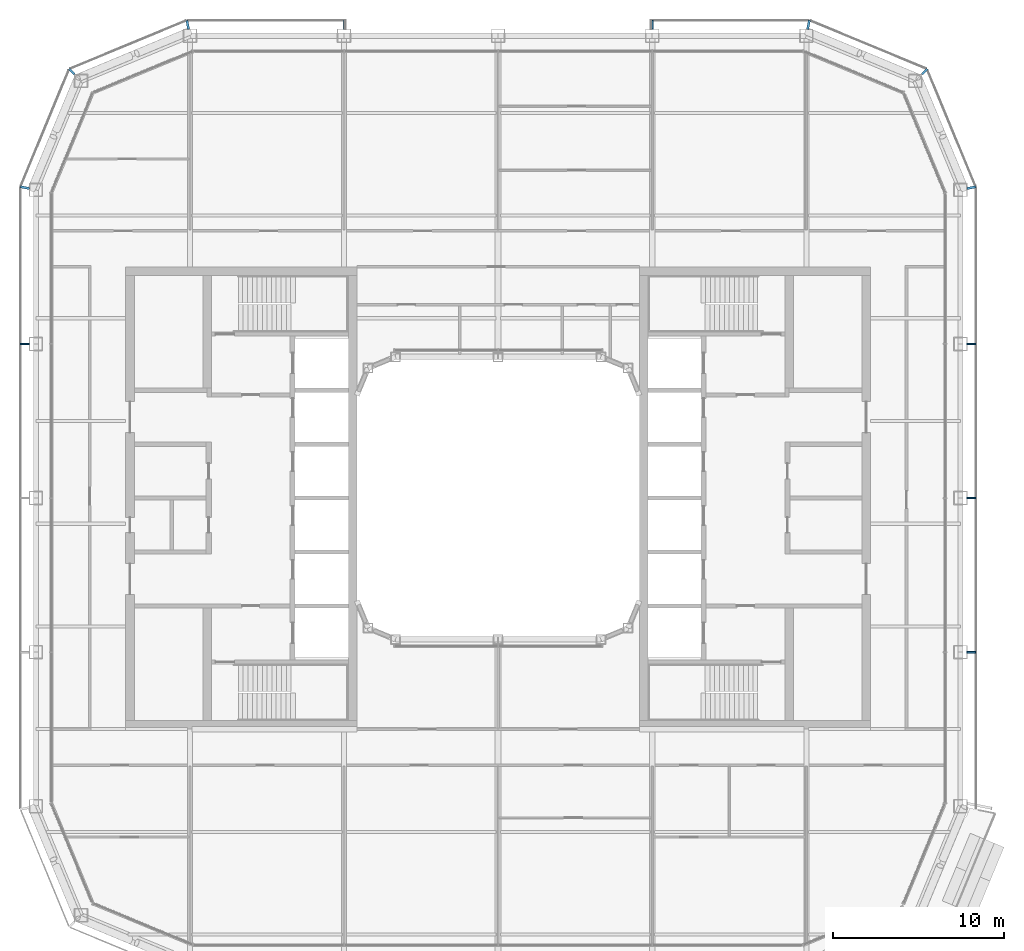
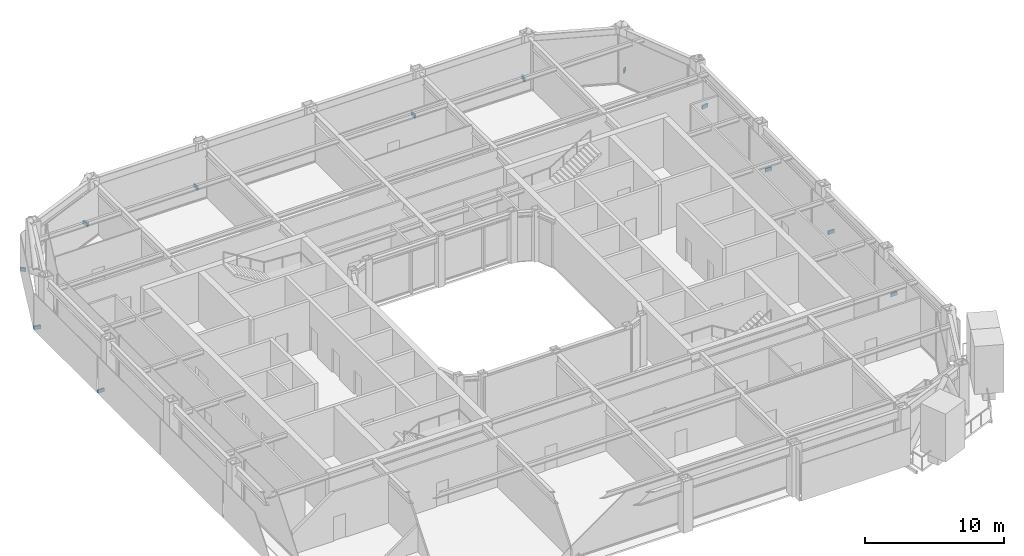
# One storey, part 18 of 23: 12 discrete accessories.
"""IFC4 building model written with IfcOpenShell, lengths in metres."""

from ifc_helpers import new_model, si_unit, direction, frame, origin, origin_2d, place, context, subcontext, project, spatial, rectangle, extrude, material, type_object, element, save


model = new_model("IFC4")

# Units and contexts
model_context = context("Model", 3, precision=1e-05, world=origin(), true_north=direction((0.0, 1.0)))
body_context = subcontext(model_context, "Body", "Model", "MODEL_VIEW")
ifc_project = project(units=[si_unit("LENGTHUNIT", "METRE"), si_unit("AREAUNIT", "SQUARE_METRE"), si_unit("VOLUMEUNIT", "CUBIC_METRE"), si_unit("PLANEANGLEUNIT", "RADIAN"), si_unit("MASSUNIT", "GRAM", prefix="KILO")], contexts=[model_context])

# Site, building, storey
site_placement = place(None, origin())
site = spatial("IfcSite", under=ifc_project, at=site_placement, CompositionType="ELEMENT")
building_placement = place(site_placement, origin())
building = spatial("IfcBuilding", under=site, at=building_placement, Name="Siwar Civic Tower", CompositionType="ELEMENT")
storey_placement = place(building_placement, frame((0.0, 0.0, 273.699951171875)))
storey = spatial("IfcBuildingStorey", under=building, at=storey_placement, Name="L59", CompositionType="ELEMENT", Elevation=273.699951171875)

# Discrete accessories
ifc_material = material(Name="Stainless steel 316", Category="steel")
discrete_accessory_type = type_object("IfcDiscreteAccessoryType", Name="ENV-BRACKET", PredefinedType="BRACKET", material=ifc_material)
for number, where, z_axis, x_axis, name in (
    (1, (27.639892578125, -9.0, -0.14990234375), (0.0, 0.0, 1.0), (1.0, 0.0, 0.0), "Bracket outer skin joint E-01"),
    (2, (27.639892578125, 0.0, -0.14990234375), (0.0, 0.0, 1.0), (1.0, 0.0, 0.0), "Bracket outer skin joint E-02"),
    (3, (27.639892578125, 9.0, -0.14990234375), (0.0, 0.0, 1.0), (1.0, 0.0, 0.0), "Bracket outer skin joint E-03"),
    (4, (9.0, 27.639892578125, -0.14990234375), (0.0, 0.0, 1.0), (0.0, 1.0, 0.0), "Bracket outer skin joint N-01"),
    (5, (-9.0, 27.639892578125, -0.14990234375), (0.0, 0.0, 1.0), (0.0, 1.0, 0.0), "Bracket outer skin joint N-03"),
):
    element("IfcDiscreteAccessory", number, at=place(storey_placement, frame(where, z_axis=z_axis, x_axis=x_axis)), inside=storey, type_object=discrete_accessory_type, Name=name, PredefinedType="BRACKET", context=body_context, shape_type="SweptSolid", body=[
        extrude(rectangle(XDim=0.52001953125, YDim=0.10009765625, at=origin_2d()), origin(), (0.0, 0.0, 1.0), 0.300048828125),
    ])
discrete_accessory_1_placement = place(storey_placement, frame((27.64013671875, 18.12744140625, -0.14990234375), z_axis=(0.0, 0.0, 1.0), x_axis=(0.980785280403, 0.195090322016, 0.0)))
element("IfcDiscreteAccessory", 6, at=discrete_accessory_1_placement, inside=storey, type_object=discrete_accessory_type, Name="Bracket outer skin joint V04", PredefinedType="BRACKET", context=body_context, shape_type="SweptSolid", body=[
    extrude(rectangle(XDim=0.52978515625, YDim=0.13720703125, at=origin_2d()), origin(), (0.0, 0.0, 1.0), 0.300048828125),
])
discrete_accessory_2_placement = place(storey_placement, frame((24.9013671875, 24.9013671875, -0.14990234375), z_axis=(0.0, 0.0, 1.0), x_axis=(0.707106781187, 0.707106781187, 0.0)))
element("IfcDiscreteAccessory", 7, at=discrete_accessory_2_placement, inside=storey, type_object=discrete_accessory_type, Name="Bracket outer skin joint V05", PredefinedType="BRACKET", context=body_context, shape_type="SweptSolid", body=[
    extrude(rectangle(XDim=0.428466796875, YDim=0.12939453125, at=origin_2d()), origin(), (0.0, 0.0, 1.0), 0.300048828125),
])
for number, where, z_axis, x_axis, name in (
    (8, (18.12744140625, 27.64013671875, -0.14990234375), (0.0, 0.0, 1.0), (0.195090322016, 0.980785280403, 0.0), "Bracket outer skin joint V06"),
    (9, (-18.12744140625, 27.64013671875, -0.14990234375), (0.0, 0.0, 1.0), (-0.195090322016, 0.980785280403, 0.0), "Bracket outer skin joint V07"),
):
    element("IfcDiscreteAccessory", number, at=place(storey_placement, frame(where, z_axis=z_axis, x_axis=x_axis)), inside=storey, type_object=discrete_accessory_type, Name=name, PredefinedType="BRACKET", context=body_context, shape_type="SweptSolid", body=[
        extrude(rectangle(XDim=0.52978515625, YDim=0.13720703125, at=origin_2d()), origin(), (0.0, 0.0, 1.0), 0.300048828125),
    ])
discrete_accessory_3_placement = place(storey_placement, frame((-24.9013671875, 24.9013671875, -0.14990234375), z_axis=(0.0, 0.0, 1.0), x_axis=(-0.707106781187, 0.707106781187, 0.0)))
element("IfcDiscreteAccessory", 10, at=discrete_accessory_3_placement, inside=storey, type_object=discrete_accessory_type, Name="Bracket outer skin joint V08", PredefinedType="BRACKET", context=body_context, shape_type="SweptSolid", body=[
    extrude(rectangle(XDim=0.428466796875, YDim=0.12939453125, at=origin_2d()), origin(), (0.0, 0.0, 1.0), 0.300048828125),
])
discrete_accessory_4_placement = place(storey_placement, frame((-27.64013671875, 18.12744140625, -0.14990234375), z_axis=(0.0, 0.0, 1.0), x_axis=(-0.980785280403, 0.195090322016, 0.0)))
element("IfcDiscreteAccessory", 11, at=discrete_accessory_4_placement, inside=storey, type_object=discrete_accessory_type, Name="Bracket outer skin joint V09", PredefinedType="BRACKET", context=body_context, shape_type="SweptSolid", body=[
    extrude(rectangle(XDim=0.52978515625, YDim=0.13720703125, at=origin_2d()), origin(), (0.0, 0.0, 1.0), 0.300048828125),
])
discrete_accessory_5_placement = place(storey_placement, frame((-27.639892578125, 9.0, -0.14990234375), z_axis=(0.0, 0.0, 1.0), x_axis=(-1.0, 0.0, 0.0)))
element("IfcDiscreteAccessory", 12, at=discrete_accessory_5_placement, inside=storey, type_object=discrete_accessory_type, Name="Bracket outer skin joint W-01", PredefinedType="BRACKET", context=body_context, shape_type="SweptSolid", body=[
    extrude(rectangle(XDim=0.52001953125, YDim=0.10009765625, at=origin_2d()), origin(), (0.0, 0.0, 1.0), 0.300048828125),
])

save(model, "model.ifc")
